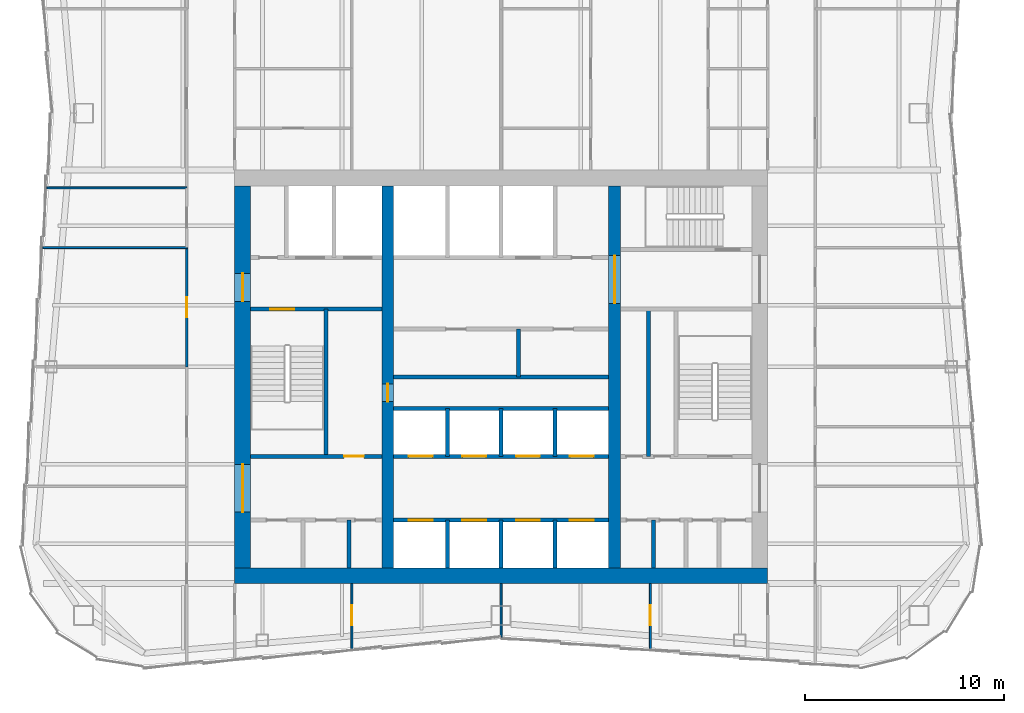
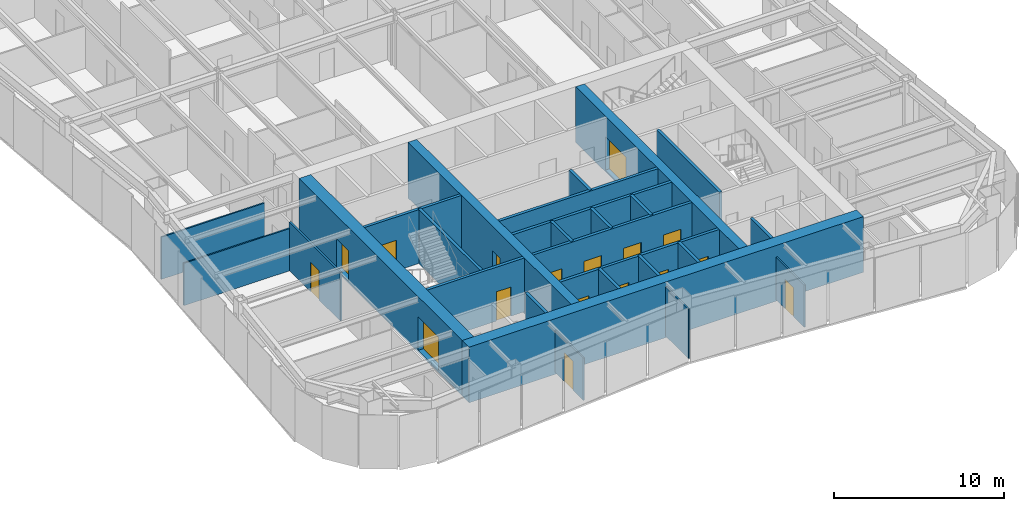
# One storey, part 6 of 12: 27 walls, 17 doors, 17 openings.
"""IFC4 building model written with IfcOpenShell, lengths in metres."""

from ifc_helpers import new_model, si_unit, direction, frame, frame_2d, origin, place, context, subcontext, project, spatial, rectangle, extrude, material, layer, layer_set, type_object, element, fill, save


model = new_model("IFC4")

# Units and contexts
model_context = context("Model", 3, precision=1e-05, world=origin(), true_north=direction((0.0, 1.0)))
body_context = subcontext(model_context, "Body", "Model", "MODEL_VIEW")
ifc_project = project(units=[si_unit("LENGTHUNIT", "METRE"), si_unit("AREAUNIT", "SQUARE_METRE"), si_unit("VOLUMEUNIT", "CUBIC_METRE"), si_unit("PLANEANGLEUNIT", "RADIAN"), si_unit("MASSUNIT", "GRAM", prefix="KILO")], contexts=[model_context])

# Site, building, storey
site_placement = place(None, origin())
site = spatial("IfcSite", under=ifc_project, at=site_placement, CompositionType="ELEMENT")
building_placement = place(site_placement, origin())
building = spatial("IfcBuilding", under=site, at=building_placement, Name="Verdant Reach Tower", CompositionType="ELEMENT")
storey_placement = place(building_placement, frame((0.0, 0.0, 266.0)))
storey = spatial("IfcBuildingStorey", under=building, at=storey_placement, Name="L61", CompositionType="ELEMENT", Elevation=266.0)

# Walls
ifc_material_1 = material(Name="Gypsum board on steel studs", Category="steel")
ifc_layer_1 = layer(ifc_material_1, 0.199951171875)
ifc_layer_set_1 = layer_set([ifc_layer_1], Name="CO-WALL-ROOM")
wall_type_1 = type_object("IfcWallType", Name="CO-WALL-ROOM", PredefinedType="PARTITIONING", material=ifc_layer_set_1)
wall_1_placement = place(storey_placement, frame((-5.39990234375, 28.0, 0.0), z_axis=(0.0, 0.0, 1.0), x_axis=(1.0, 0.0, 0.0)))
element("IfcWall", 1, at=wall_1_placement, inside=storey, type_object=wall_type_1, Name="Core partition, L61", PredefinedType="PARTITIONING", context=body_context, shape_type="SweptSolid", body=[
    extrude(rectangle(XDim=10.7998046875, YDim=0.199951171875, at=frame_2d((5.39990234375, 0.0))), origin(), (0.0, 0.0, 1.0), 3.8701171875),
])
wall_2_placement = place(storey_placement, frame((-7.64990234375, 18.39990234375, 0.0), z_axis=(0.0, 0.0, 1.0), x_axis=(0.0, 1.0, 0.0)))
element("IfcWall", 2, at=wall_2_placement, inside=storey, type_object=wall_type_1, Name="Core partition, L61", PredefinedType="PARTITIONING", context=body_context, shape_type="SweptSolid", body=[
    extrude(rectangle(XDim=2.400146484375, YDim=0.199951171875, at=frame_2d((1.2001953125, 0.0))), origin(), (0.0, 0.0, 1.0), 3.8701171875),
])
wall_3_placement = place(storey_placement, frame((0.864013671875, 28.0, 0.0), z_axis=(0.0, 0.0, 1.0), x_axis=(0.0, 1.0, 0.0)))
element("IfcWall", 3, at=wall_3_placement, inside=storey, type_object=wall_type_1, Name="Core partition, L61", PredefinedType="PARTITIONING", context=body_context, shape_type="SweptSolid", body=[
    extrude(rectangle(XDim=2.39990234375, YDim=0.199951171875, at=frame_2d((1.199951171875, 0.0))), origin(), (0.0, 0.0, 1.0), 3.8701171875),
])
wall_4_placement = place(storey_placement, frame((7.39990234375, 24.0, 0.0), z_axis=(0.0, 0.0, 1.0), x_axis=(0.0, 1.0, 0.0)))
element("IfcWall", 4, at=wall_4_placement, inside=storey, type_object=wall_type_1, Name="Core partition, L61", PredefinedType="PARTITIONING", context=body_context, shape_type="SweptSolid", body=[
    extrude(rectangle(XDim=7.39990234375, YDim=0.199951171875, at=frame_2d((3.699951171875, 0.0))), origin(), (0.0, 0.0, 1.0), 3.8701171875),
])
wall_5_placement = place(storey_placement, frame((7.64990234375, 18.39990234375, 0.0), z_axis=(0.0, 0.0, 1.0), x_axis=(0.0, 1.0, 0.0)))
element("IfcWall", 5, at=wall_5_placement, inside=storey, type_object=wall_type_1, Name="Core partition, L61", PredefinedType="PARTITIONING", context=body_context, shape_type="SweptSolid", body=[
    extrude(rectangle(XDim=2.400146484375, YDim=0.199951171875, at=frame_2d((1.2001953125, 0.0))), origin(), (0.0, 0.0, 1.0), 3.8701171875),
])

# Wall, openings, doors
ifc_material_2 = material(Name="Concrete C40/50", Category="concrete")
ifc_layer_2 = layer(ifc_material_2, 0.199951171875)
ifc_layer_set_2 = layer_set([ifc_layer_2], Name="CO-WALL-SHAFT")
wall_type_2 = type_object("IfcWallType", Name="CO-WALL-SHAFT", PredefinedType="PARTITIONING", material=ifc_layer_set_2)
wall_6_placement = place(storey_placement, frame((-5.39990234375, 20.800048828125, 0.0), z_axis=(0.0, 0.0, 1.0), x_axis=(1.0, 0.0, 0.0)))
wall_6 = element("IfcWall", 6, at=wall_6_placement, inside=storey, type_object=wall_type_2, Name="Lift shaft wall, L61", PredefinedType="PARTITIONING", context=body_context, shape_type="SweptSolid", body=[
    extrude(rectangle(XDim=10.7998046875, YDim=0.199951171875, at=frame_2d((5.39990234375, 0.0))), origin(), (0.0, 0.0, 1.0), 3.8701171875),
])
opening_1_placement = place(wall_6_placement, frame((0.75, 0.0, 0.0)))
opening_1 = element("IfcOpeningElement", 7, at=opening_1_placement, cuts=wall_6, Name="Opening LD-B1", PredefinedType="OPENING", context=body_context, shape_type="SweptSolid", body=[
    extrude(rectangle(XDim=1.199951171875, YDim=2.199951171875, at=frame_2d((0.60009765625, 1.10009765625))), frame((0.0, 0.10986328125, 0.0), z_axis=(0.0, -1.0, 0.0), x_axis=(1.0, 0.0, 0.0)), (0.0, 0.0, 1.0), 0.219970703125),
])
opening_2_placement = place(wall_6_placement, frame((3.449951171875, 0.0, 0.0)))
opening_2 = element("IfcOpeningElement", 8, at=opening_2_placement, cuts=wall_6, Name="Opening LD-B2", PredefinedType="OPENING", context=body_context, shape_type="SweptSolid", body=[
    extrude(rectangle(XDim=1.199951171875, YDim=2.199951171875, at=frame_2d((0.60009765625, 1.10009765625))), frame((0.0, 0.10986328125, 0.0), z_axis=(0.0, -1.0, 0.0), x_axis=(1.0, 0.0, 0.0)), (0.0, 0.0, 1.0), 0.219970703125),
])
opening_3_placement = place(wall_6_placement, frame((6.14990234375, 0.0, 0.0)))
opening_3 = element("IfcOpeningElement", 9, at=opening_3_placement, cuts=wall_6, Name="Opening LD-B3", PredefinedType="OPENING", context=body_context, shape_type="SweptSolid", body=[
    extrude(rectangle(XDim=1.199951171875, YDim=2.199951171875, at=frame_2d((0.60009765625, 1.10009765625))), frame((0.0, 0.10986328125, 0.0), z_axis=(0.0, -1.0, 0.0), x_axis=(1.0, 0.0, 0.0)), (0.0, 0.0, 1.0), 0.219970703125),
])
opening_4_placement = place(wall_6_placement, frame((8.85009765625, 0.0, 0.0)))
opening_4 = element("IfcOpeningElement", 10, at=opening_4_placement, cuts=wall_6, Name="Opening LD-B4", PredefinedType="OPENING", context=body_context, shape_type="SweptSolid", body=[
    extrude(rectangle(XDim=1.199951171875, YDim=2.199951171875, at=frame_2d((0.60009765625, 1.10009765625))), frame((0.0, 0.10986328125, 0.0), z_axis=(0.0, -1.0, 0.0), x_axis=(1.0, 0.0, 0.0)), (0.0, 0.0, 1.0), 0.219970703125),
])
ifc_material_3 = material(Name="Stainless steel", Category="steel")
door_type_1 = type_object("IfcDoorType", Name="CO-DOOR-LANDING", OperationType="SLIDING_TO_LEFT", PredefinedType="DOOR", material=ifc_material_3)
door_1_placement = place(opening_1_placement, origin())
door_1 = element("IfcDoor", 11, at=door_1_placement, inside=storey, type_object=door_type_1, Name="Landing door B1, L61", OperationType="SLIDING_TO_LEFT", OverallHeight=2.199951171875, OverallWidth=1.199951171875, PredefinedType="DOOR", context=body_context, shape_type="SweptSolid", body=[
    extrude(rectangle(XDim=1.199951171875, YDim=2.199951171875, at=frame_2d((0.60009765625, 1.10009765625))), frame((0.0, 0.02490234375, 0.0), z_axis=(0.0, -1.0, 0.0), x_axis=(1.0, 0.0, 0.0)), (0.0, 0.0, 1.0), 0.050048828125),
])
fill(opening_1, door_1)
door_2_placement = place(opening_2_placement, origin())
door_2 = element("IfcDoor", 12, at=door_2_placement, inside=storey, type_object=door_type_1, Name="Landing door B2, L61", OperationType="SLIDING_TO_LEFT", OverallHeight=2.199951171875, OverallWidth=1.199951171875, PredefinedType="DOOR", context=body_context, shape_type="SweptSolid", body=[
    extrude(rectangle(XDim=1.199951171875, YDim=2.199951171875, at=frame_2d((0.60009765625, 1.10009765625))), frame((0.0, 0.02490234375, 0.0), z_axis=(0.0, -1.0, 0.0), x_axis=(1.0, 0.0, 0.0)), (0.0, 0.0, 1.0), 0.050048828125),
])
fill(opening_2, door_2)
door_3_placement = place(opening_3_placement, origin())
door_3 = element("IfcDoor", 13, at=door_3_placement, inside=storey, type_object=door_type_1, Name="Landing door B3, L61", OperationType="SLIDING_TO_LEFT", OverallHeight=2.199951171875, OverallWidth=1.199951171875, PredefinedType="DOOR", context=body_context, shape_type="SweptSolid", body=[
    extrude(rectangle(XDim=1.199951171875, YDim=2.199951171875, at=frame_2d((0.60009765625, 1.10009765625))), frame((0.0, 0.02490234375, 0.0), z_axis=(0.0, -1.0, 0.0), x_axis=(1.0, 0.0, 0.0)), (0.0, 0.0, 1.0), 0.050048828125),
])
fill(opening_3, door_3)
door_4_placement = place(opening_4_placement, origin())
door_4 = element("IfcDoor", 14, at=door_4_placement, inside=storey, type_object=door_type_1, Name="Landing door B4, L61", OperationType="SLIDING_TO_LEFT", OverallHeight=2.199951171875, OverallWidth=1.199951171875, PredefinedType="DOOR", context=body_context, shape_type="SweptSolid", body=[
    extrude(rectangle(XDim=1.199951171875, YDim=2.199951171875, at=frame_2d((0.60009765625, 1.10009765625))), frame((0.0, 0.02490234375, 0.0), z_axis=(0.0, -1.0, 0.0), x_axis=(1.0, 0.0, 0.0)), (0.0, 0.0, 1.0), 0.050048828125),
])
fill(opening_4, door_4)

wall_7_placement = place(storey_placement, frame((-5.39990234375, 24.0, 0.0), z_axis=(0.0, 0.0, 1.0), x_axis=(1.0, 0.0, 0.0)))
wall_7 = element("IfcWall", 15, at=wall_7_placement, inside=storey, type_object=wall_type_2, Name="Lift shaft wall, L61", PredefinedType="PARTITIONING", context=body_context, shape_type="SweptSolid", body=[
    extrude(rectangle(XDim=10.7998046875, YDim=0.199951171875, at=frame_2d((5.39990234375, 0.0))), origin(), (0.0, 0.0, 1.0), 3.8701171875),
])
opening_5_placement = place(wall_7_placement, frame((0.75, 0.0, 0.0)))
opening_5 = element("IfcOpeningElement", 16, at=opening_5_placement, cuts=wall_7, Name="Opening LD-A5", PredefinedType="OPENING", context=body_context, shape_type="SweptSolid", body=[
    extrude(rectangle(XDim=1.199951171875, YDim=2.199951171875, at=frame_2d((0.60009765625, 1.10009765625))), frame((0.0, 0.10986328125, 0.0), z_axis=(0.0, -1.0, 0.0), x_axis=(1.0, 0.0, 0.0)), (0.0, 0.0, 1.0), 0.219970703125),
])
opening_6_placement = place(wall_7_placement, frame((3.449951171875, 0.0, 0.0)))
opening_6 = element("IfcOpeningElement", 17, at=opening_6_placement, cuts=wall_7, Name="Opening LD-A6", PredefinedType="OPENING", context=body_context, shape_type="SweptSolid", body=[
    extrude(rectangle(XDim=1.199951171875, YDim=2.199951171875, at=frame_2d((0.60009765625, 1.10009765625))), frame((0.0, 0.10986328125, 0.0), z_axis=(0.0, -1.0, 0.0), x_axis=(1.0, 0.0, 0.0)), (0.0, 0.0, 1.0), 0.219970703125),
])
opening_7_placement = place(wall_7_placement, frame((6.14990234375, 0.0, 0.0)))
opening_7 = element("IfcOpeningElement", 18, at=opening_7_placement, cuts=wall_7, Name="Opening LD-A7", PredefinedType="OPENING", context=body_context, shape_type="SweptSolid", body=[
    extrude(rectangle(XDim=1.199951171875, YDim=2.199951171875, at=frame_2d((0.60009765625, 1.10009765625))), frame((0.0, 0.10986328125, 0.0), z_axis=(0.0, -1.0, 0.0), x_axis=(1.0, 0.0, 0.0)), (0.0, 0.0, 1.0), 0.219970703125),
])
opening_8_placement = place(wall_7_placement, frame((8.85009765625, 0.0, 0.0)))
opening_8 = element("IfcOpeningElement", 19, at=opening_8_placement, cuts=wall_7, Name="Opening LD-A8", PredefinedType="OPENING", context=body_context, shape_type="SweptSolid", body=[
    extrude(rectangle(XDim=1.199951171875, YDim=2.199951171875, at=frame_2d((0.60009765625, 1.10009765625))), frame((0.0, 0.10986328125, 0.0), z_axis=(0.0, -1.0, 0.0), x_axis=(1.0, 0.0, 0.0)), (0.0, 0.0, 1.0), 0.219970703125),
])
door_5_placement = place(opening_5_placement, origin())
door_5 = element("IfcDoor", 20, at=door_5_placement, inside=storey, type_object=door_type_1, Name="Landing door A5, L61", OperationType="SLIDING_TO_LEFT", OverallHeight=2.199951171875, OverallWidth=1.199951171875, PredefinedType="DOOR", context=body_context, shape_type="SweptSolid", body=[
    extrude(rectangle(XDim=1.199951171875, YDim=2.199951171875, at=frame_2d((0.60009765625, 1.10009765625))), frame((0.0, 0.02490234375, 0.0), z_axis=(0.0, -1.0, 0.0), x_axis=(1.0, 0.0, 0.0)), (0.0, 0.0, 1.0), 0.050048828125),
])
fill(opening_5, door_5)
door_6_placement = place(opening_6_placement, origin())
door_6 = element("IfcDoor", 21, at=door_6_placement, inside=storey, type_object=door_type_1, Name="Landing door A6, L61", OperationType="SLIDING_TO_LEFT", OverallHeight=2.199951171875, OverallWidth=1.199951171875, PredefinedType="DOOR", context=body_context, shape_type="SweptSolid", body=[
    extrude(rectangle(XDim=1.199951171875, YDim=2.199951171875, at=frame_2d((0.60009765625, 1.10009765625))), frame((0.0, 0.02490234375, 0.0), z_axis=(0.0, -1.0, 0.0), x_axis=(1.0, 0.0, 0.0)), (0.0, 0.0, 1.0), 0.050048828125),
])
fill(opening_6, door_6)
door_7_placement = place(opening_7_placement, origin())
door_7 = element("IfcDoor", 22, at=door_7_placement, inside=storey, type_object=door_type_1, Name="Landing door A7, L61", OperationType="SLIDING_TO_LEFT", OverallHeight=2.199951171875, OverallWidth=1.199951171875, PredefinedType="DOOR", context=body_context, shape_type="SweptSolid", body=[
    extrude(rectangle(XDim=1.199951171875, YDim=2.199951171875, at=frame_2d((0.60009765625, 1.10009765625))), frame((0.0, 0.02490234375, 0.0), z_axis=(0.0, -1.0, 0.0), x_axis=(1.0, 0.0, 0.0)), (0.0, 0.0, 1.0), 0.050048828125),
])
fill(opening_7, door_7)
door_8_placement = place(opening_8_placement, origin())
door_8 = element("IfcDoor", 23, at=door_8_placement, inside=storey, type_object=door_type_1, Name="Landing door A8, L61", OperationType="SLIDING_TO_LEFT", OverallHeight=2.199951171875, OverallWidth=1.199951171875, PredefinedType="DOOR", context=body_context, shape_type="SweptSolid", body=[
    extrude(rectangle(XDim=1.199951171875, YDim=2.199951171875, at=frame_2d((0.60009765625, 1.10009765625))), frame((0.0, 0.02490234375, 0.0), z_axis=(0.0, -1.0, 0.0), x_axis=(1.0, 0.0, 0.0)), (0.0, 0.0, 1.0), 0.050048828125),
])
fill(opening_8, door_8)

# Walls
wall_8_placement = place(storey_placement, frame((-5.39990234375, 26.39990234375, 0.0), z_axis=(0.0, 0.0, 1.0), x_axis=(1.0, 0.0, 0.0)))
element("IfcWall", 24, at=wall_8_placement, inside=storey, type_object=wall_type_2, Name="Lift shaft wall, L61", PredefinedType="PARTITIONING", context=body_context, shape_type="SweptSolid", body=[
    extrude(rectangle(XDim=10.7998046875, YDim=0.199951171875, at=frame_2d((5.39990234375, 0.0))), origin(), (0.0, 0.0, 1.0), 3.8701171875),
])
wall_9_placement = place(storey_placement, frame((-2.699951171875, 18.39990234375, 0.0), z_axis=(0.0, 0.0, 1.0), x_axis=(0.0, 1.0, 0.0)))
element("IfcWall", 25, at=wall_9_placement, inside=storey, type_object=wall_type_2, Name="Lift shaft wall, L61", PredefinedType="PARTITIONING", context=body_context, shape_type="SweptSolid", body=[
    extrude(rectangle(XDim=2.400146484375, YDim=0.199951171875, at=frame_2d((1.2001953125, 0.0))), origin(), (0.0, 0.0, 1.0), 3.8701171875),
])
wall_10_placement = place(storey_placement, frame((-2.699951171875, 24.0, 0.0), z_axis=(0.0, 0.0, 1.0), x_axis=(0.0, 1.0, 0.0)))
element("IfcWall", 26, at=wall_10_placement, inside=storey, type_object=wall_type_2, Name="Lift shaft wall, L61", PredefinedType="PARTITIONING", context=body_context, shape_type="SweptSolid", body=[
    extrude(rectangle(XDim=2.39990234375, YDim=0.199951171875, at=frame_2d((1.199951171875, 0.0))), origin(), (0.0, 0.0, 1.0), 3.8701171875),
])
wall_11_placement = place(storey_placement, frame((0.0, 18.39990234375, 0.0), z_axis=(0.0, 0.0, 1.0), x_axis=(0.0, 1.0, 0.0)))
element("IfcWall", 27, at=wall_11_placement, inside=storey, type_object=wall_type_2, Name="Lift shaft wall, L61", PredefinedType="PARTITIONING", context=body_context, shape_type="SweptSolid", body=[
    extrude(rectangle(XDim=2.400146484375, YDim=0.199951171875, at=frame_2d((1.2001953125, 0.0))), origin(), (0.0, 0.0, 1.0), 3.8701171875),
])
wall_12_placement = place(storey_placement, frame((0.0, 24.0, 0.0), z_axis=(0.0, 0.0, 1.0), x_axis=(0.0, 1.0, 0.0)))
element("IfcWall", 28, at=wall_12_placement, inside=storey, type_object=wall_type_2, Name="Lift shaft wall, L61", PredefinedType="PARTITIONING", context=body_context, shape_type="SweptSolid", body=[
    extrude(rectangle(XDim=2.39990234375, YDim=0.199951171875, at=frame_2d((1.199951171875, 0.0))), origin(), (0.0, 0.0, 1.0), 3.8701171875),
])
wall_13_placement = place(storey_placement, frame((2.699951171875, 18.39990234375, 0.0), z_axis=(0.0, 0.0, 1.0), x_axis=(0.0, 1.0, 0.0)))
element("IfcWall", 29, at=wall_13_placement, inside=storey, type_object=wall_type_2, Name="Lift shaft wall, L61", PredefinedType="PARTITIONING", context=body_context, shape_type="SweptSolid", body=[
    extrude(rectangle(XDim=2.400146484375, YDim=0.199951171875, at=frame_2d((1.2001953125, 0.0))), origin(), (0.0, 0.0, 1.0), 3.8701171875),
])
wall_14_placement = place(storey_placement, frame((2.699951171875, 24.0, 0.0), z_axis=(0.0, 0.0, 1.0), x_axis=(0.0, 1.0, 0.0)))
element("IfcWall", 30, at=wall_14_placement, inside=storey, type_object=wall_type_2, Name="Lift shaft wall, L61", PredefinedType="PARTITIONING", context=body_context, shape_type="SweptSolid", body=[
    extrude(rectangle(XDim=2.39990234375, YDim=0.199951171875, at=frame_2d((1.199951171875, 0.0))), origin(), (0.0, 0.0, 1.0), 3.8701171875),
])

# Wall, opening, door
ifc_layer_3 = layer(ifc_material_2, 0.199951171875)
ifc_layer_set_3 = layer_set([ifc_layer_3], Name="CO-WALL-STAIR")
wall_type_3 = type_object("IfcWallType", Name="CO-WALL-STAIR", PredefinedType="PARTITIONING", material=ifc_layer_set_3)
wall_15_placement = place(storey_placement, frame((-12.60009765625, 24.0, 0.0), z_axis=(0.0, 0.0, 1.0), x_axis=(1.0, 0.0, 0.0)))
wall_15 = element("IfcWall", 31, at=wall_15_placement, inside=storey, type_object=wall_type_3, Name="Stair enclosure wall, L61", PredefinedType="PARTITIONING", context=body_context, shape_type="SweptSolid", body=[
    extrude(rectangle(XDim=6.60009765625, YDim=0.199951171875, at=frame_2d((3.300048828125, 0.0))), origin(), (0.0, 0.0, 1.0), 3.8701171875),
])
opening_9_placement = place(wall_15_placement, frame((4.699951171875, 0.0, 0.0)))
opening_9 = element("IfcOpeningElement", 32, at=opening_9_placement, cuts=wall_15, Name="Opening CD", PredefinedType="OPENING", context=body_context, shape_type="SweptSolid", body=[
    extrude(rectangle(XDim=1.0, YDim=2.10009765625, at=frame_2d((0.5, 1.050048828125))), frame((0.0, 0.10986328125, 0.0), z_axis=(0.0, -1.0, 0.0), x_axis=(1.0, 0.0, 0.0)), (0.0, 0.0, 1.0), 0.219970703125),
])
ifc_material_4 = material(Name="Timber", Category="wood")
door_type_2 = type_object("IfcDoorType", Name="CO-DOOR-ROOM", OperationType="NOTDEFINED", PredefinedType="DOOR", material=ifc_material_4)
door_9_placement = place(opening_9_placement, origin())
door_9 = element("IfcDoor", 33, at=door_9_placement, inside=storey, type_object=door_type_2, Name="Core room door, L61", OperationType="SINGLE_SWING_LEFT", OverallHeight=2.10009765625, OverallWidth=1.0, PredefinedType="DOOR", context=body_context, shape_type="SweptSolid", body=[
    extrude(rectangle(XDim=1.0, YDim=2.10009765625, at=frame_2d((0.5, 1.050048828125))), frame((0.0, 0.02490234375, 0.0), z_axis=(0.0, -1.0, 0.0), x_axis=(1.0, 0.0, 0.0)), (0.0, 0.0, 1.0), 0.050048828125),
])
fill(opening_9, door_9)

wall_16_placement = place(storey_placement, frame((-12.60009765625, 31.39990234375, 0.0), z_axis=(0.0, 0.0, 1.0), x_axis=(1.0, 0.0, 0.0)))
wall_16 = element("IfcWall", 34, at=wall_16_placement, inside=storey, type_object=wall_type_3, Name="Stair enclosure wall, L61", PredefinedType="PARTITIONING", context=body_context, shape_type="SweptSolid", body=[
    extrude(rectangle(XDim=6.60009765625, YDim=0.199951171875, at=frame_2d((3.300048828125, 0.0))), origin(), (0.0, 0.0, 1.0), 3.8701171875),
])
opening_10_placement = place(wall_16_placement, frame((1.0, 0.0, 0.0)))
opening_10 = element("IfcOpeningElement", 35, at=opening_10_placement, cuts=wall_16, Name="Opening SD", PredefinedType="OPENING", context=body_context, shape_type="SweptSolid", body=[
    extrude(rectangle(XDim=1.199951171875, YDim=2.199951171875, at=frame_2d((0.60009765625, 1.10009765625))), frame((0.0, 0.10986328125, 0.0), z_axis=(0.0, -1.0, 0.0), x_axis=(1.0, 0.0, 0.0)), (0.0, 0.0, 1.0), 0.219970703125),
])
ifc_material_5 = material(Name="Steel", Category="steel")
door_type_3 = type_object("IfcDoorType", Name="CO-DOOR-STAIR", OperationType="NOTDEFINED", PredefinedType="DOOR", material=ifc_material_5)
door_10_placement = place(opening_10_placement, origin())
door_10 = element("IfcDoor", 36, at=door_10_placement, inside=storey, type_object=door_type_3, Name="Stair door, L61", OperationType="SINGLE_SWING_RIGHT", OverallHeight=2.199951171875, OverallWidth=1.199951171875, PredefinedType="DOOR", context=body_context, shape_type="SweptSolid", body=[
    extrude(rectangle(XDim=1.199951171875, YDim=2.199951171875, at=frame_2d((0.60009765625, 1.10009765625))), frame((0.0, 0.02490234375, 0.0), z_axis=(0.0, -1.0, 0.0), x_axis=(1.0, 0.0, 0.0)), (0.0, 0.0, 1.0), 0.050048828125),
])
fill(opening_10, door_10)

# Walls
wall_17_placement = place(storey_placement, frame((-8.800048828125, 24.0, 0.0), z_axis=(0.0, 0.0, 1.0), x_axis=(0.0, 1.0, 0.0)))
element("IfcWall", 37, at=wall_17_placement, inside=storey, type_object=wall_type_3, Name="Stair enclosure wall, L61", PredefinedType="PARTITIONING", context=body_context, shape_type="SweptSolid", body=[
    extrude(rectangle(XDim=7.39990234375, YDim=0.199951171875, at=frame_2d((3.699951171875, 0.0))), origin(), (0.0, 0.0, 1.0), 3.8701171875),
])
ifc_layer_4 = layer(ifc_material_1, 0.10009765625)
ifc_layer_set_4 = layer_set([ifc_layer_4], Name="FL-W1 Partition 100")
wall_type_4 = type_object("IfcWallType", Name="FL-W1 Partition 100", PredefinedType="PARTITIONING", material=ifc_layer_set_4)
wall_18_placement = place(storey_placement, frame((-15.800048828125, 34.5, 0.0), z_axis=(0.0, 0.0, 1.0), x_axis=(-1.0, 0.0, 0.0)))
element("IfcWall", 38, at=wall_18_placement, inside=storey, type_object=wall_type_4, Name="Partition 61.43", PredefinedType="PARTITIONING", context=body_context, shape_type="SweptSolid", body=[
    extrude(rectangle(XDim=7.245361328125, YDim=0.10009765625, at=frame_2d((3.62255859375, 0.0))), origin(), (0.0, 0.0, 1.0), 3.0400390625),
])
wall_19_placement = place(storey_placement, frame((-15.800048828125, 37.5, 0.0), z_axis=(0.0, 0.0, 1.0), x_axis=(-1.0, 0.0, 0.0)))
element("IfcWall", 39, at=wall_19_placement, inside=storey, type_object=wall_type_4, Name="Partition 61.44", PredefinedType="PARTITIONING", context=body_context, shape_type="SweptSolid", body=[
    extrude(rectangle(XDim=7.03857421875, YDim=0.10009765625, at=frame_2d((3.519287109375, 0.0))), origin(), (0.0, 0.0, 1.0), 3.0400390625),
])

# Wall, opening, door
wall_20_placement = place(storey_placement, frame((-7.5, 17.60009765625, 0.0), z_axis=(0.0, 0.0, 1.0), x_axis=(0.0, -1.0, 0.0)))
wall_20 = element("IfcWall", 40, at=wall_20_placement, inside=storey, type_object=wall_type_4, Name="Partition 61.56", PredefinedType="PARTITIONING", context=body_context, shape_type="SweptSolid", body=[
    extrude(rectangle(XDim=3.30517578125, YDim=0.10009765625, at=frame_2d((1.652587890625, 0.0))), origin(), (0.0, 0.0, 1.0), 3.0400390625),
])
opening_11_placement = place(wall_20_placement, frame((1.08740234375, 0.0, 0.0)))
opening_11 = element("IfcOpeningElement", 41, at=opening_11_placement, cuts=wall_20, Name="Opening D3", PredefinedType="OPENING", context=body_context, shape_type="SweptSolid", body=[
    extrude(rectangle(XDim=1.0, YDim=2.10009765625, at=frame_2d((0.5, 1.050048828125))), frame((0.0, 0.06005859375, 0.0), z_axis=(0.0, -1.0, 0.0), x_axis=(1.0, 0.0, 0.0)), (0.0, 0.0, 1.0), 0.1201171875),
])
ifc_material_6 = material(Name="Painted timber door leaf", Category="wood")
door_type_4 = type_object("IfcDoorType", Name="FL-D3 Door 1000x2100", OperationType="NOTDEFINED", PredefinedType="DOOR", material=ifc_material_6)
door_11_placement = place(opening_11_placement, origin())
door_11 = element("IfcDoor", 42, at=door_11_placement, inside=storey, type_object=door_type_4, Name="Door 61-031", OperationType="SINGLE_SWING_LEFT", OverallHeight=2.10009765625, OverallWidth=1.0, PredefinedType="DOOR", context=body_context, shape_type="SweptSolid", body=[
    extrude(rectangle(XDim=1.0, YDim=2.10009765625, at=frame_2d((0.5, 1.050048828125))), frame((0.0, 0.02490234375, 0.0), z_axis=(0.0, -1.0, 0.0), x_axis=(1.0, 0.0, 0.0)), (0.0, 0.0, 1.0), 0.050048828125),
])
fill(opening_11, door_11)

# Wall
wall_21_placement = place(storey_placement, frame((0.0, 14.919921875, 0.0), z_axis=(0.0, 0.0, 1.0), x_axis=(0.0, 1.0, 0.0)))
element("IfcWall", 43, at=wall_21_placement, inside=storey, type_object=wall_type_4, Name="Partition 61.57", PredefinedType="PARTITIONING", context=body_context, shape_type="SweptSolid", body=[
    extrude(rectangle(XDim=2.68017578125, YDim=0.10009765625, at=frame_2d((1.340087890625, 0.0))), origin(), (0.0, 0.0, 1.0), 3.5400390625),
])

# Wall, opening, door
wall_22_placement = place(storey_placement, frame((7.5, 14.294921875, 0.0), z_axis=(0.0, 0.0, 1.0), x_axis=(0.0, 1.0, 0.0)))
wall_22 = element("IfcWall", 44, at=wall_22_placement, inside=storey, type_object=wall_type_4, Name="Partition 61.58", PredefinedType="PARTITIONING", context=body_context, shape_type="SweptSolid", body=[
    extrude(rectangle(XDim=3.30517578125, YDim=0.10009765625, at=frame_2d((1.652587890625, 0.0))), origin(), (0.0, 0.0, 1.0), 3.0400390625),
])
opening_12_placement = place(wall_22_placement, frame((1.217529296875, 0.0, 0.0)))
opening_12 = element("IfcOpeningElement", 45, at=opening_12_placement, cuts=wall_22, Name="Opening D3", PredefinedType="OPENING", context=body_context, shape_type="SweptSolid", body=[
    extrude(rectangle(XDim=1.0, YDim=2.10009765625, at=frame_2d((0.5, 1.050048828125))), frame((0.0, 0.06005859375, 0.0), z_axis=(0.0, -1.0, 0.0), x_axis=(1.0, 0.0, 0.0)), (0.0, 0.0, 1.0), 0.1201171875),
])
door_12_placement = place(opening_12_placement, origin())
door_12 = element("IfcDoor", 46, at=door_12_placement, inside=storey, type_object=door_type_4, Name="Door 61-032", OperationType="SINGLE_SWING_RIGHT", OverallHeight=2.10009765625, OverallWidth=1.0, PredefinedType="DOOR", context=body_context, shape_type="SweptSolid", body=[
    extrude(rectangle(XDim=1.0, YDim=2.10009765625, at=frame_2d((0.5, 1.050048828125))), frame((0.0, 0.02490234375, 0.0), z_axis=(0.0, -1.0, 0.0), x_axis=(1.0, 0.0, 0.0)), (0.0, 0.0, 1.0), 0.050048828125),
])
fill(opening_12, door_12)

ifc_material_7 = material(Name="Gypsum board on steel studs, fire rated", Category="steel")
ifc_layer_5 = layer(ifc_material_7, 0.125)
ifc_layer_set_5 = layer_set([ifc_layer_5], Name="FL-W2 Corridor wall 125")
wall_type_5 = type_object("IfcWallType", Name="FL-W2 Corridor wall 125", PredefinedType="PARTITIONING", material=ifc_layer_set_5)
wall_23_placement = place(storey_placement, frame((-15.800048828125, 28.5, 0.0), z_axis=(0.0, 0.0, 1.0), x_axis=(0.0, 1.0, 0.0)))
wall_23 = element("IfcWall", 47, at=wall_23_placement, inside=storey, type_object=wall_type_5, Name="Partition 61.03", PredefinedType="PARTITIONING", context=body_context, shape_type="SweptSolid", body=[
    extrude(rectangle(XDim=6.0, YDim=0.125, at=frame_2d((3.0, 0.0))), origin(), (0.0, 0.0, 1.0), 3.47998046875),
])
opening_13_placement = place(wall_23_placement, frame((2.5, 0.0, 0.0)))
opening_13 = element("IfcOpeningElement", 48, at=opening_13_placement, cuts=wall_23, Name="Opening D2", PredefinedType="OPENING", context=body_context, shape_type="SweptSolid", body=[
    extrude(rectangle(XDim=1.0, YDim=2.10009765625, at=frame_2d((0.5, 1.050048828125))), frame((0.0, 0.072509765625, 0.0), z_axis=(0.0, -1.0, 0.0), x_axis=(1.0, 0.0, 0.0)), (0.0, 0.0, 1.0), 0.14501953125),
])
ifc_material_8 = material(Name="Timber door leaf, fire rated", Category="wood")
door_type_5 = type_object("IfcDoorType", Name="FL-D2 Entrance door 1000x2100 FD30", OperationType="NOTDEFINED", PredefinedType="DOOR", material=ifc_material_8)
door_13_placement = place(opening_13_placement, origin())
door_13 = element("IfcDoor", 49, at=door_13_placement, inside=storey, type_object=door_type_5, Name="Door 61-003", OperationType="SINGLE_SWING_LEFT", OverallHeight=2.10009765625, OverallWidth=1.0, PredefinedType="DOOR", context=body_context, shape_type="SweptSolid", body=[
    extrude(rectangle(XDim=1.0, YDim=2.10009765625, at=frame_2d((0.5, 1.050048828125))), frame((0.0, 0.02490234375, 0.0), z_axis=(0.0, -1.0, 0.0), x_axis=(1.0, 0.0, 0.0)), (0.0, 0.0, 1.0), 0.050048828125),
])
fill(opening_13, door_13)

ifc_material_9 = material(Name="Concrete C70/85", Category="concrete")
ifc_layer_6 = layer(ifc_material_9, 0.60009765625)
ifc_layer_set_6 = layer_set([ifc_layer_6], Name="ST-CORE-WALL-600")
wall_type_6 = type_object("IfcWallType", Name="ST-CORE-WALL-600", PredefinedType="SHEAR", material=ifc_layer_set_6)
wall_24_placement = place(storey_placement, frame((-5.699951171875, 18.39990234375, -0.1298828125), z_axis=(0.0, 0.0, 1.0), x_axis=(0.0, 1.0, 0.0)))
wall_24 = element("IfcWall", 50, at=wall_24_placement, inside=storey, type_object=wall_type_6, Name="Core wall XW, L61", PredefinedType="SHEAR", context=body_context, shape_type="SweptSolid", body=[
    extrude(rectangle(XDim=19.2001953125, YDim=0.60009765625, at=frame_2d((9.60009765625, 0.0))), origin(), (0.0, 0.0, 1.0), 4.0),
])
opening_14_placement = place(wall_24_placement, frame((8.35009765625, 0.0, 0.1298828125)))
opening_14 = element("IfcOpeningElement", 51, at=opening_14_placement, cuts=wall_24, Name="Opening RD", PredefinedType="OPENING", context=body_context, shape_type="SweptSolid", body=[
    extrude(rectangle(XDim=0.89990234375, YDim=2.10009765625, at=frame_2d((0.449951171875, 1.050048828125))), frame((0.0, 0.31005859375, 0.0), z_axis=(0.0, -1.0, 0.0), x_axis=(1.0, 0.0, 0.0)), (0.0, 0.0, 1.0), 0.6201171875),
])
door_type_6 = type_object("IfcDoorType", Name="CO-DOOR-RISER", OperationType="NOTDEFINED", PredefinedType="DOOR", material=ifc_material_5)
door_14_placement = place(opening_14_placement, origin())
door_14 = element("IfcDoor", 52, at=door_14_placement, inside=storey, type_object=door_type_6, Name="Riser door, L61", OperationType="SINGLE_SWING_RIGHT", OverallHeight=2.10009765625, OverallWidth=0.89990234375, PredefinedType="DOOR", context=body_context, shape_type="SweptSolid", body=[
    extrude(rectangle(XDim=0.89990234375, YDim=2.10009765625, at=frame_2d((0.449951171875, 1.050048828125))), frame((0.0, 0.02490234375, 0.0), z_axis=(0.0, -1.0, 0.0), x_axis=(1.0, 0.0, 0.0)), (0.0, 0.0, 1.0), 0.050048828125),
])
fill(opening_14, door_14)

wall_25_placement = place(storey_placement, frame((5.699951171875, 18.39990234375, -0.1298828125), z_axis=(0.0, 0.0, 1.0), x_axis=(0.0, 1.0, 0.0)))
wall_25 = element("IfcWall", 53, at=wall_25_placement, inside=storey, type_object=wall_type_6, Name="Core wall XE, L61", PredefinedType="SHEAR", context=body_context, shape_type="SweptSolid", body=[
    extrude(rectangle(XDim=19.2001953125, YDim=0.60009765625, at=frame_2d((9.60009765625, 0.0))), origin(), (0.0, 0.0, 1.0), 4.0),
])
opening_15_placement = place(wall_25_placement, frame((13.300048828125, 0.0, 0.1298828125)))
opening_15 = element("IfcOpeningElement", 54, at=opening_15_placement, cuts=wall_25, Name="Opening LB", PredefinedType="OPENING", context=body_context, shape_type="SweptSolid", body=[
    extrude(rectangle(XDim=2.39990234375, YDim=2.39990234375, at=frame_2d((1.199951171875, 1.199951171875))), frame((0.0, 0.31005859375, 0.0), z_axis=(0.0, -1.0, 0.0), x_axis=(1.0, 0.0, 0.0)), (0.0, 0.0, 1.0), 0.6201171875),
])
ifc_material_10 = material(Name="Glass and steel", Category="steel")
door_type_7 = type_object("IfcDoorType", Name="CO-DOOR-LOBBY", OperationType="DOUBLE_DOOR_SINGLE_SWING", PredefinedType="DOOR", material=ifc_material_10)
door_15_placement = place(opening_15_placement, origin())
door_15 = element("IfcDoor", 55, at=door_15_placement, inside=storey, type_object=door_type_7, Name="Core entrance door, L61", OperationType="DOUBLE_DOOR_SINGLE_SWING", OverallHeight=2.39990234375, OverallWidth=2.39990234375, PredefinedType="DOOR", context=body_context, shape_type="SweptSolid", body=[
    extrude(rectangle(XDim=2.39990234375, YDim=2.39990234375, at=frame_2d((1.199951171875, 1.199951171875))), frame((0.0, 0.02490234375, 0.0), z_axis=(0.0, -1.0, 0.0), x_axis=(1.0, 0.0, 0.0)), (0.0, 0.0, 1.0), 0.050048828125),
])
fill(opening_15, door_15)

# Wall
ifc_layer_7 = layer(ifc_material_9, 0.800048828125)
ifc_layer_set_7 = layer_set([ifc_layer_7], Name="ST-CORE-WALL-800")
wall_type_7 = type_object("IfcWallType", Name="ST-CORE-WALL-800", PredefinedType="SHEAR", material=ifc_layer_set_7)
wall_26_placement = place(storey_placement, frame((-13.39990234375, 18.0, -0.1298828125), z_axis=(0.0, 0.0, 1.0), x_axis=(1.0, 0.0, 0.0)))
element("IfcWall", 56, at=wall_26_placement, inside=storey, type_object=wall_type_7, Name="Core wall S, L61", PredefinedType="SHEAR", context=body_context, shape_type="SweptSolid", body=[
    extrude(rectangle(XDim=26.7998046875, YDim=0.800048828125, at=frame_2d((13.39990234375, 0.0))), origin(), (0.0, 0.0, 1.0), 4.0),
])

# Wall, openings, doors
wall_27_placement = place(storey_placement, frame((-13.0, 18.39990234375, -0.1298828125), z_axis=(0.0, 0.0, 1.0), x_axis=(0.0, 1.0, 0.0)))
wall_27 = element("IfcWall", 57, at=wall_27_placement, inside=storey, type_object=wall_type_7, Name="Core wall W, L61", PredefinedType="SHEAR", context=body_context, shape_type="SweptSolid", body=[
    extrude(rectangle(XDim=19.2001953125, YDim=0.800048828125, at=frame_2d((9.60009765625, 0.0))), origin(), (0.0, 0.0, 1.0), 4.0),
])
opening_16_placement = place(wall_27_placement, frame((2.800048828125, 0.0, 0.1298828125)))
opening_16 = element("IfcOpeningElement", 58, at=opening_16_placement, cuts=wall_27, Name="Opening LB", PredefinedType="OPENING", context=body_context, shape_type="SweptSolid", body=[
    extrude(rectangle(XDim=2.39990234375, YDim=2.39990234375, at=frame_2d((1.199951171875, 1.199951171875))), frame((0.0, 0.409912109375, 0.0), z_axis=(0.0, -1.0, 0.0), x_axis=(1.0, 0.0, 0.0)), (0.0, 0.0, 1.0), 0.820068359375),
])
opening_17_placement = place(wall_27_placement, frame((13.39990234375, 0.0, 0.1298828125)))
opening_17 = element("IfcOpeningElement", 59, at=opening_17_placement, cuts=wall_27, Name="Opening FL", PredefinedType="OPENING", context=body_context, shape_type="SweptSolid", body=[
    extrude(rectangle(XDim=1.39990234375, YDim=2.199951171875, at=frame_2d((0.699951171875, 1.10009765625))), frame((0.0, 0.409912109375, 0.0), z_axis=(0.0, -1.0, 0.0), x_axis=(1.0, 0.0, 0.0)), (0.0, 0.0, 1.0), 0.820068359375),
])
door_type_8 = type_object("IfcDoorType", Name="CO-DOOR-FFL", OperationType="NOTDEFINED", PredefinedType="DOOR", material=ifc_material_5)
door_16_placement = place(opening_17_placement, origin())
door_16 = element("IfcDoor", 60, at=door_16_placement, inside=storey, type_object=door_type_8, Name="Core entrance door, L61", OperationType="SINGLE_SWING_RIGHT", OverallHeight=2.199951171875, OverallWidth=1.39990234375, PredefinedType="DOOR", context=body_context, shape_type="SweptSolid", body=[
    extrude(rectangle(XDim=1.39990234375, YDim=2.199951171875, at=frame_2d((0.699951171875, 1.10009765625))), frame((0.0, 0.02490234375, 0.0), z_axis=(0.0, -1.0, 0.0), x_axis=(1.0, 0.0, 0.0)), (0.0, 0.0, 1.0), 0.050048828125),
])
fill(opening_17, door_16)
door_17_placement = place(opening_16_placement, origin())
door_17 = element("IfcDoor", 61, at=door_17_placement, inside=storey, type_object=door_type_7, Name="Core entrance door, L61", OperationType="DOUBLE_DOOR_SINGLE_SWING", OverallHeight=2.39990234375, OverallWidth=2.39990234375, PredefinedType="DOOR", context=body_context, shape_type="SweptSolid", body=[
    extrude(rectangle(XDim=2.39990234375, YDim=2.39990234375, at=frame_2d((1.199951171875, 1.199951171875))), frame((0.0, 0.02490234375, 0.0), z_axis=(0.0, -1.0, 0.0), x_axis=(1.0, 0.0, 0.0)), (0.0, 0.0, 1.0), 0.050048828125),
])
fill(opening_16, door_17)

save(model, "model.ifc")
